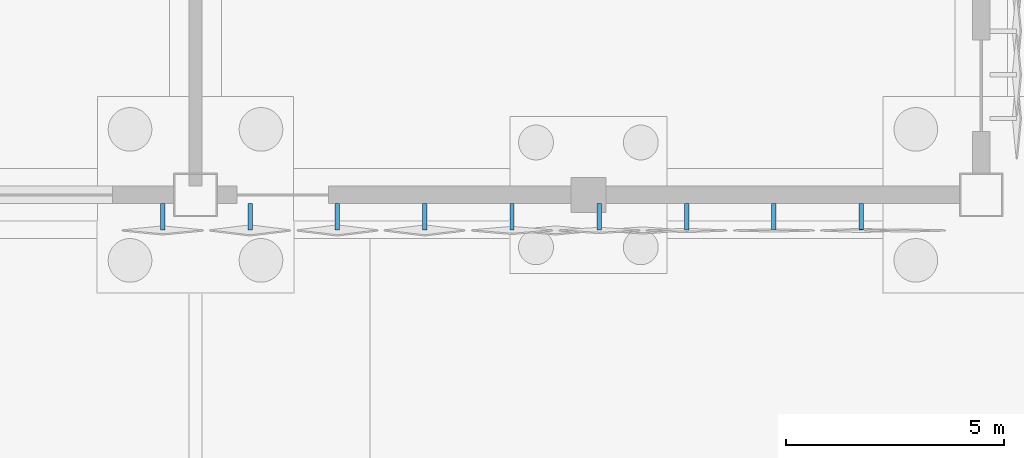
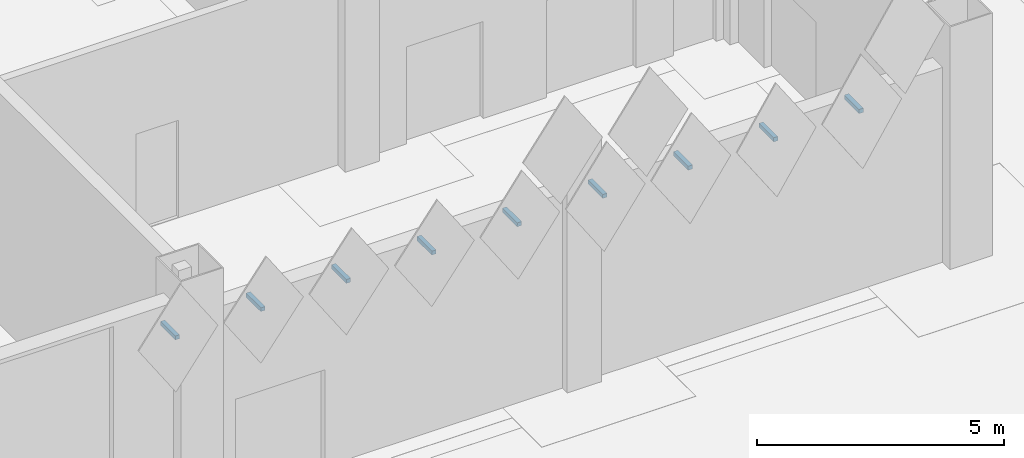
# One storey, part 120 of 198: 9 discrete accessories.
"""IFC4 building model written with IfcOpenShell, lengths in metres."""

from ifc_helpers import new_model, si_unit, direction, frame, origin, place, context, subcontext, project, spatial, polyline, outline, extrude, material, type_object, element, save


model = new_model("IFC4")

# Units and contexts
model_context = context("Model", 3, precision=1e-05, world=origin(), true_north=direction((0.0, 1.0)))
body_context = subcontext(model_context, "Body", "Model", "MODEL_VIEW")
ifc_project = project(units=[si_unit("LENGTHUNIT", "METRE"), si_unit("AREAUNIT", "SQUARE_METRE"), si_unit("VOLUMEUNIT", "CUBIC_METRE"), si_unit("PLANEANGLEUNIT", "RADIAN"), si_unit("MASSUNIT", "GRAM", prefix="KILO")], contexts=[model_context])

# Site, building, storey
site_placement = place(None, origin())
site = spatial("IfcSite", under=ifc_project, at=site_placement, CompositionType="ELEMENT")
building_placement = place(site_placement, origin())
building = spatial("IfcBuilding", under=site, at=building_placement, Name="Opaline Strait Convention Centre", CompositionType="ELEMENT")
storey_placement = place(building_placement, origin())
storey = spatial("IfcBuildingStorey", under=building, at=storey_placement, Name="L00", CompositionType="ELEMENT", Elevation=0.0)

# Discrete accessories
ifc_material = material(Name="Steel Q355B", Category="steel")
discrete_accessory_type = type_object("IfcDiscreteAccessoryType", Name="Tile bracket 100x100 steel", PredefinedType="BRACKET", material=ifc_material)
discrete_accessory_1_placement = place(storey_placement, frame((242.199951171875, 53.800048828125, 4.89208984375), z_axis=(1.0, 0.0, 0.0), x_axis=(0.0, 1.0, 0.0)))
element("IfcDiscreteAccessory", 1, at=discrete_accessory_1_placement, inside=storey, type_object=discrete_accessory_type, Name="Tile bracket XT07 S", PredefinedType="BRACKET", context=body_context, shape_type="SweptSolid", body=[
    extrude(outline(polyline([(0.0, -0.050048828125), (0.0, 0.050048828125), (-0.60302734375, 0.050048828125), (-0.596923828125, -0.050048828125), (0.0, -0.050048828125)])), origin(), (0.0, 0.0, 1.0), 0.10009765625),
])
for number, where, z_axis, x_axis, name in (
    (2, (244.199951171875, 53.800048828125, 4.89208984375), (1.0, 0.0, 0.0), (0.0, 1.0, 0.0), "Tile bracket XT09 S"),
    (3, (246.199951171875, 53.800048828125, 4.89208984375), (1.0, 0.0, 0.0), (0.0, 1.0, 0.0), "Tile bracket XT09 S"),
    (4, (248.199951171875, 53.800048828125, 4.89208984375), (1.0, 0.0, 0.0), (0.0, 1.0, 0.0), "Tile bracket XT09 S"),
):
    element("IfcDiscreteAccessory", number, at=place(storey_placement, frame(where, z_axis=z_axis, x_axis=x_axis)), inside=storey, type_object=discrete_accessory_type, Name=name, PredefinedType="BRACKET", context=body_context, shape_type="SweptSolid", body=[
        extrude(outline(polyline([(0.0, -0.050048828125), (0.0, 0.050048828125), (-0.60400390625, 0.050048828125), (-0.595947265625, -0.050048828125), (0.0, -0.050048828125)])), origin(), (0.0, 0.0, 1.0), 0.10009765625),
    ])
discrete_accessory_2_placement = place(storey_placement, frame((250.199951171875, 53.800048828125, 4.89208984375), z_axis=(1.0, 0.0, 0.0), x_axis=(0.0, 1.0, 0.0)))
element("IfcDiscreteAccessory", 5, at=discrete_accessory_2_placement, inside=storey, type_object=discrete_accessory_type, Name="Tile bracket XT06 S", PredefinedType="BRACKET", context=body_context, shape_type="SweptSolid", body=[
    extrude(outline(polyline([(0.0, -0.050048828125), (0.0, 0.050048828125), (-0.6025390625, 0.050048828125), (-0.597412109375, -0.050048828125), (0.0, -0.050048828125)])), origin(), (0.0, 0.0, 1.0), 0.10009765625),
])
discrete_accessory_3_placement = place(storey_placement, frame((252.199951171875, 53.800048828125, 4.89208984375), z_axis=(1.0, 0.0, 0.0), x_axis=(0.0, 1.0, 0.0)))
element("IfcDiscreteAccessory", 6, at=discrete_accessory_3_placement, inside=storey, type_object=discrete_accessory_type, Name="Tile bracket XT04 S", PredefinedType="BRACKET", context=body_context, shape_type="SweptSolid", body=[
    extrude(outline(polyline([(0.0, -0.050048828125), (0.0, 0.050048828125), (-0.601806640625, 0.050048828125), (-0.59814453125, -0.050048828125), (0.0, -0.050048828125)])), origin(), (0.0, 0.0, 1.0), 0.10009765625),
])
discrete_accessory_4_placement = place(storey_placement, frame((254.199951171875, 53.800048828125, 4.89208984375), z_axis=(1.0, 0.0, 0.0), x_axis=(0.0, 1.0, 0.0)))
element("IfcDiscreteAccessory", 7, at=discrete_accessory_4_placement, inside=storey, type_object=discrete_accessory_type, Name="Tile bracket XT02 S", PredefinedType="BRACKET", context=body_context, shape_type="SweptSolid", body=[
    extrude(outline(polyline([(0.0, -0.050048828125), (0.0, 0.050048828125), (-0.600830078125, 0.050048828125), (-0.59912109375, -0.050048828125), (0.0, -0.050048828125)])), origin(), (0.0, 0.0, 1.0), 0.10009765625),
])
discrete_accessory_5_placement = place(storey_placement, frame((256.199951171875, 53.800048828125, 4.89208984375), z_axis=(1.0, 0.0, 0.0), x_axis=(0.0, 1.0, 0.0)))
element("IfcDiscreteAccessory", 8, at=discrete_accessory_5_placement, inside=storey, type_object=discrete_accessory_type, Name="Tile bracket XT02 S", PredefinedType="BRACKET", context=body_context, shape_type="SweptSolid", body=[
    extrude(outline(polyline([(0.0, -0.050048828125), (0.0, 0.050048828125), (-0.59912109375, 0.050048828125), (-0.600830078125, -0.050048828125), (0.0, -0.050048828125)])), origin(), (0.0, 0.0, 1.0), 0.10009765625),
])
discrete_accessory_6_placement = place(storey_placement, frame((258.199951171875, 53.800048828125, 4.89208984375), z_axis=(1.0, 0.0, 0.0), x_axis=(0.0, 1.0, 0.0)))
element("IfcDiscreteAccessory", 9, at=discrete_accessory_6_placement, inside=storey, type_object=discrete_accessory_type, Name="Tile bracket XT03 S", PredefinedType="BRACKET", context=body_context, shape_type="SweptSolid", body=[
    extrude(outline(polyline([(0.0, -0.050048828125), (0.0, 0.050048828125), (-0.5986328125, 0.050048828125), (-0.601318359375, -0.050048828125), (0.0, -0.050048828125)])), origin(), (0.0, 0.0, 1.0), 0.10009765625),
])

save(model, "model.ifc")
